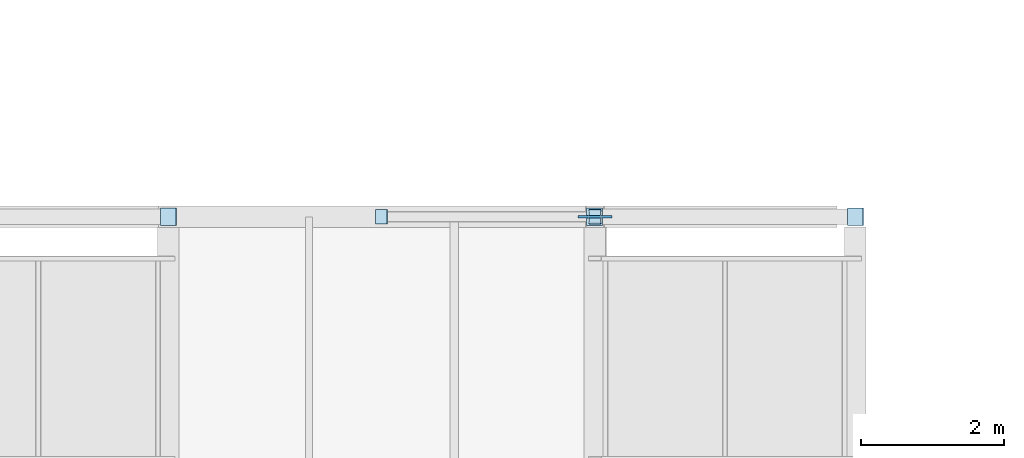
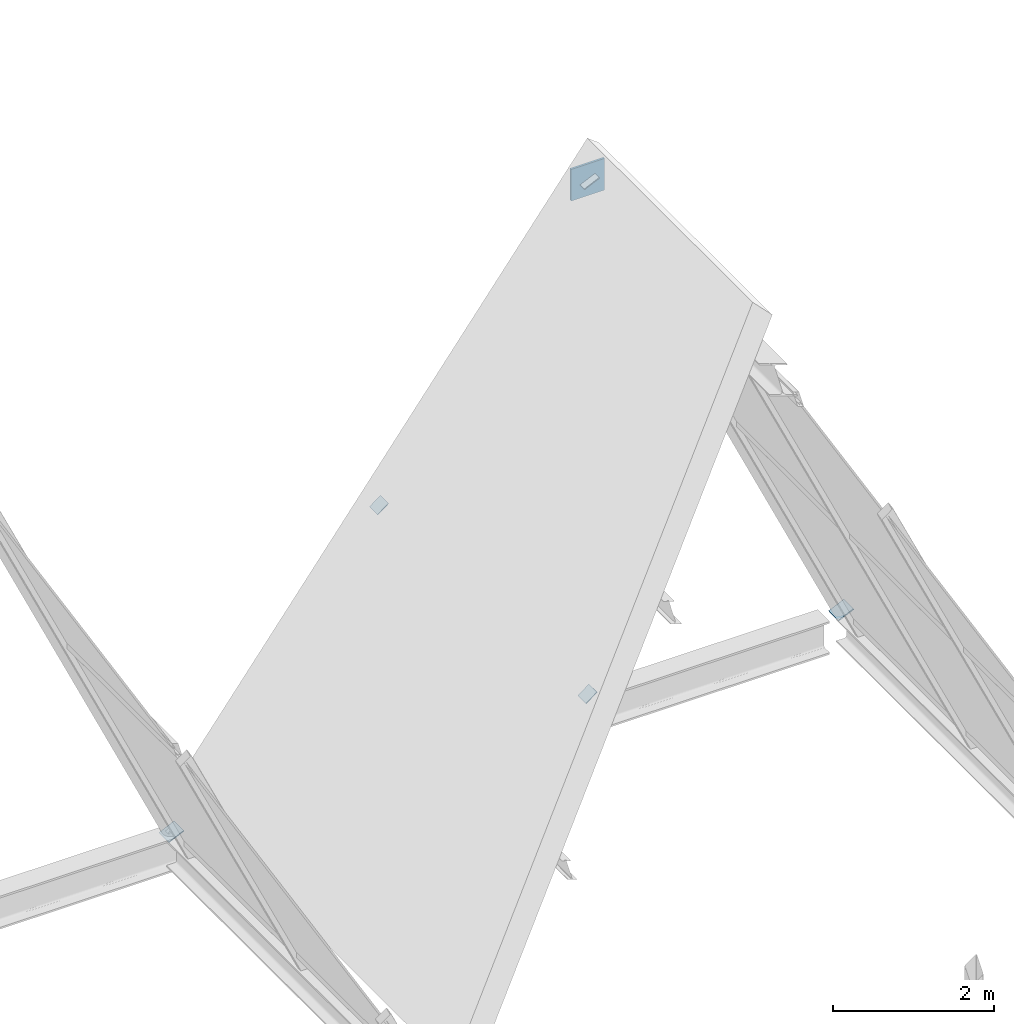
# One storey, part 76 of 99: 6 plates.
"""IFC4 building model written with IfcOpenShell, lengths in metres."""

from ifc_helpers import new_model, si_unit, direction, frame, origin, origin_2d, place, context, subcontext, project, spatial, rectangle, extrude, material, layer, layer_set, type_object, element, save


model = new_model("IFC4")

# Units and contexts
model_context = context("Model", 3, precision=1e-05, world=origin(), true_north=direction((0.0, 1.0)))
body_context = subcontext(model_context, "Body", "Model", "MODEL_VIEW")
ifc_project = project(units=[si_unit("LENGTHUNIT", "METRE"), si_unit("AREAUNIT", "SQUARE_METRE"), si_unit("VOLUMEUNIT", "CUBIC_METRE"), si_unit("PLANEANGLEUNIT", "RADIAN"), si_unit("MASSUNIT", "GRAM", prefix="KILO")], contexts=[model_context])

# Site, building, storey
site_placement = place(None, origin())
site = spatial("IfcSite", under=ifc_project, at=site_placement, CompositionType="ELEMENT")
building_placement = place(site_placement, origin())
building = spatial("IfcBuilding", under=site, at=building_placement, Name="Bramveld Media Centre", CompositionType="ELEMENT")
storey_placement = place(building_placement, frame((0.0, 0.0, 13.800048828125)))
storey = spatial("IfcBuildingStorey", under=building, at=storey_placement, Name="L03", CompositionType="ELEMENT", Elevation=13.800048828125)

# Plates
ifc_material_1 = material(Name="Steel S355J2", Category="steel")
ifc_layer_1 = layer(ifc_material_1, 0.010009765625)
ifc_layer_set_1 = layer_set([ifc_layer_1], Name="Steel S355J2")
plate_type_1 = type_object("IfcPlateType", Name="PLT-CAP-10", PredefinedType="USERDEFINED", material=ifc_layer_set_1)
for number, where, z_axis, x_axis, name in (
    (1, (53.962890625, 38.39990234375, -0.000244140625), (0.607327610301, 0.0, -0.794451492394), (0.0, 1.0, 0.0), "Hollow section end cap plate CAP-TRUSS-V2-B06-F5-W0"),
    (2, (50.9814453125, 38.39990234375, 3.900146484375), (-0.607327610301, 0.0, 0.794451492394), (0.0, -1.0, 0.0), "Hollow section end cap plate CAP-TRUSS-V2-B06-F5-W1"),
):
    element("IfcPlate", number, at=place(storey_placement, frame(where, z_axis=z_axis, x_axis=x_axis)), inside=storey, type_object=plate_type_1, Name=name, ObjectType="CAP PLATE", PredefinedType="USERDEFINED", context=body_context, shape_type="SweptSolid", body=[
        extrude(rectangle(XDim=0.199951171875, YDim=0.199951171875, at=origin_2d()), origin(), (0.0, 0.0, 1.0), 0.010009765625),
    ])
ifc_material_2 = material(Name="Steel S355J2", Category="steel")
ifc_layer_2 = layer(ifc_material_2, 0.013916015625)
ifc_layer_set_2 = layer_set([ifc_layer_2], Name="Steel S355J2")
plate_type_2 = type_object("IfcPlateType", Name="PLT-CAP-14", PredefinedType="USERDEFINED", material=ifc_layer_set_2)
for number, where, z_axis, x_axis, name in (
    (3, (48.0, 38.39990234375, 0.0), (0.422618287099, 0.0, -0.906307775212), (0.0, 1.0, 0.0), "Hollow section end cap plate CAP-TRUSS-V2-B05-F5-B"),
    (4, (53.962646484375, 38.39990234375, 7.7998046875), (-0.422618287099, 0.0, 0.906307775212), (0.0, -1.0, 0.0), "Hollow section end cap plate CAP-TRUSS-V2-B06-F5-A"),
):
    element("IfcPlate", number, at=place(storey_placement, frame(where, z_axis=z_axis, x_axis=x_axis)), inside=storey, type_object=plate_type_2, Name=name, ObjectType="CAP PLATE", PredefinedType="USERDEFINED", context=body_context, shape_type="SweptSolid", body=[
        extrude(rectangle(XDim=0.239990234375, YDim=0.239990234375, at=origin_2d()), origin(), (0.0, 0.0, 1.0), 0.013916015625),
    ])
ifc_material_3 = material(Name="Steel S355J2", Category="steel")
ifc_layer_3 = layer(ifc_material_3, 0.01806640625)
ifc_layer_set_3 = layer_set([ifc_layer_3], Name="Steel S355J2")
plate_type_3 = type_object("IfcPlateType", Name="PLT-CAP-18", PredefinedType="USERDEFINED", material=ifc_layer_set_3)
plate_1_placement = place(storey_placement, frame((57.599853515625, 38.39990234375, 0.0), z_axis=(0.422618287099, 0.0, -0.906307775212), x_axis=(0.0, 1.0, 0.0)))
element("IfcPlate", 5, at=plate_1_placement, inside=storey, type_object=plate_type_3, Name="Hollow section end cap plate CAP-TRUSS-V2-B06-F5-B", ObjectType="CAP PLATE", PredefinedType="USERDEFINED", context=body_context, shape_type="SweptSolid", body=[
    extrude(rectangle(XDim=0.239990234375, YDim=0.239990234375, at=origin_2d()), origin(), (0.0, 0.0, 1.0), 0.01806640625),
])
ifc_material_4 = material(Name="Steel S355J2", Category="steel")
ifc_layer_4 = layer(ifc_material_4, 0.030029296875)
ifc_layer_set_4 = layer_set([ifc_layer_4], Name="Steel S355J2")
plate_type_4 = type_object("IfcPlateType", Name="PLT-GUSSET-30", PredefinedType="USERDEFINED", material=ifc_layer_set_4)
plate_2_placement = place(storey_placement, frame((53.962890625, 38.39990234375, 7.56005859375), z_axis=(0.0, 0.0, 1.0), x_axis=(1.0, 0.0, 0.0)))
element("IfcPlate", 6, at=plate_2_placement, inside=storey, type_object=plate_type_4, Name="TRUSS-V2-B06-F5 apex node gusset plate", ObjectType="GUSSET PLATE", PredefinedType="USERDEFINED", context=body_context, shape_type="SweptSolid", body=[
    extrude(rectangle(XDim=0.47998046875, YDim=0.030029296875, at=origin_2d()), origin(), (0.0, 0.0, 1.0), 0.47998046875),
])

save(model, "model.ifc")
